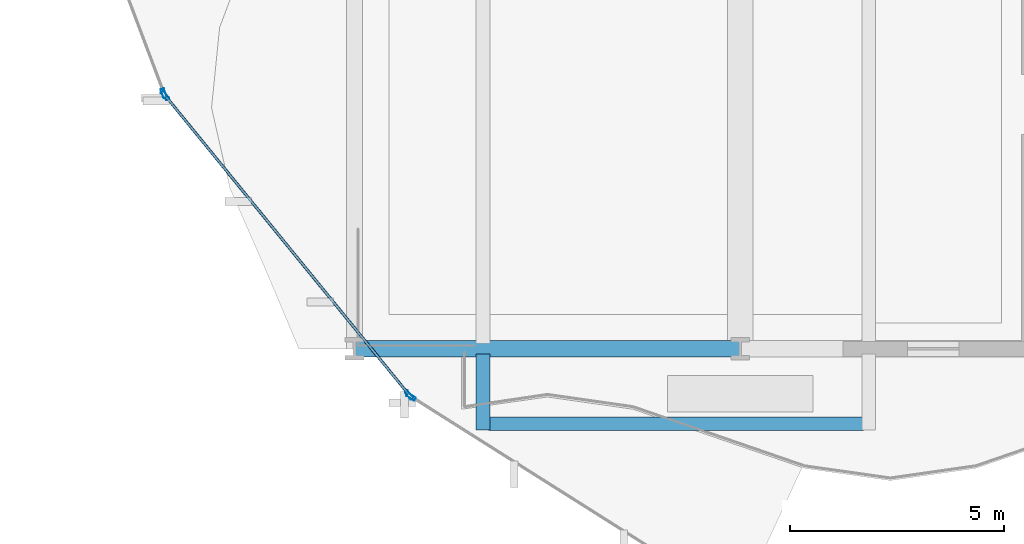
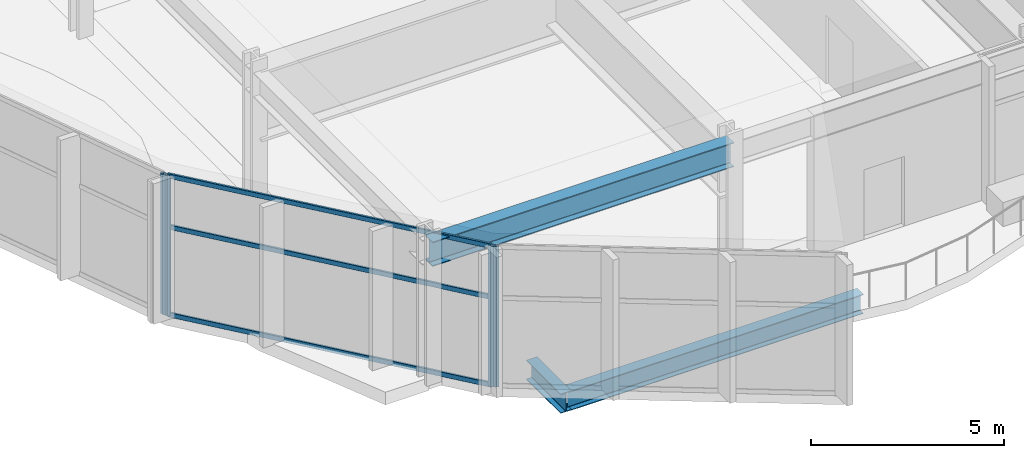
# One storey, part 2 of 31: 7 members, 3 beams, 3 elements without a shape of their own.
"""IFC4 building model written with IfcOpenShell, lengths in metres."""

import ifcopenshell
import ifcopenshell.guid

model = None  # the IFC model being written
_history = None  # IfcOwnerHistory: only IFC2X3 demands one
_inside = {}  # id of a spatial element -> (the spatial element, [elements in it])
_under = {}  # id of a project, library or spatial element -> (it, [spatial elements below it])
_declared = {}  # id of a project -> (the project, [libraries it declares])
_typed = {}  # id of a type object -> (the type object, [elements of that type])
_made_of = {}  # id of a material, layer set ... -> (it, [elements and type objects made of it])


def new_model(schema):
    """Start an empty IFC model of exactly this schema.

    Asked for "IFC4X3", IfcOpenShell would pick the latest addendum, in which some entities
    have other attributes; the version numbers below select the first issue.
    IFC2X3 requires an IfcOwnerHistory on every rooted entity: one is made here for all.
    """
    global model, _history
    if schema == "IFC4X3":
        model = ifcopenshell.file(schema_version=(4, 3, 0, 0))
    else:
        model = ifcopenshell.file(schema=schema)
    _inside.clear()
    _under.clear()
    _declared.clear()
    _typed.clear()
    _made_of.clear()
    _history = None
    if model.schema == "IFC2X3":
        org = make("IfcOrganization", Name="unknown")
        user = make(
            "IfcPersonAndOrganization",
            ThePerson=make("IfcPerson", FamilyName="unknown"),
            TheOrganization=org,
        )
        app = make(
            "IfcApplication",
            ApplicationDeveloper=org,
            Version="unknown",
            ApplicationFullName="unknown",
            ApplicationIdentifier="unknown",
        )
        _history = make(
            "IfcOwnerHistory",
            OwningUser=user,
            OwningApplication=app,
            ChangeAction="ADDED",
            CreationDate=0,
        )
    return model


def make(cls, **values):
    """One entity of the class cls with the attributes given. An attribute that is None is left unset."""
    return model.create_entity(
        cls, **{name: value for name, value in values.items() if value is not None}
    )


def rooted(cls, **values):
    """An entity with a GlobalId (a new one), such as an element, a storey or a relation."""
    return make(cls, GlobalId=ifcopenshell.guid.new(), OwnerHistory=_history, **values)


def si_unit(unit_type, name, prefix=None):
    """IfcSIUnit, for example si_unit("LENGTHUNIT", "METRE", prefix="MILLI")."""
    return make("IfcSIUnit", UnitType=unit_type, Prefix=prefix, Name=name)


def assignment(units):
    """IfcUnitAssignment: the units of a project."""
    return None if units is None else make("IfcUnitAssignment", Units=units)


def point(xyz):
    """IfcCartesianPoint."""
    return None if xyz is None else make("IfcCartesianPoint", Coordinates=xyz)


def direction(xyz):
    """IfcDirection."""
    return None if xyz is None else make("IfcDirection", DirectionRatios=xyz)


def frame(location, z_axis=None, x_axis=None):
    """IfcAxis2Placement3D, a coordinate frame: its origin and axes. An axis left out is left unset."""
    return make(
        "IfcAxis2Placement3D",
        Location=point(location),
        Axis=direction(z_axis),
        RefDirection=direction(x_axis),
    )


def frame_2d(location, x_axis=None):
    """IfcAxis2Placement2D, a coordinate frame in the plane: its origin and x axis."""
    return make(
        "IfcAxis2Placement2D", Location=point(location), RefDirection=direction(x_axis)
    )


def origin():
    """The frame at (0, 0, 0) with its axes left unset."""
    return frame((0.0, 0.0, 0.0))


def origin_2d():
    """The frame at (0, 0) in the plane with its x axis left unset."""
    return frame_2d((0.0, 0.0))


def place(relative_to, where):
    """IfcLocalPlacement: puts the frame where relative to a parent placement (None: the world)."""
    return make(
        "IfcLocalPlacement", PlacementRelTo=relative_to, RelativePlacement=where
    )


def context(
    kind, dimensions, precision=None, world=None, true_north=None, identifier=None
):
    """IfcGeometricRepresentationContext, for example the 3D "Model" context."""
    return make(
        "IfcGeometricRepresentationContext",
        ContextIdentifier=identifier,
        ContextType=kind,
        CoordinateSpaceDimension=dimensions,
        Precision=precision,
        WorldCoordinateSystem=world,
        TrueNorth=true_north,
    )


def subcontext(parent, identifier, kind, view, scale=None):
    """IfcGeometricRepresentationSubContext, for example "Body" below "Model"."""
    return make(
        "IfcGeometricRepresentationSubContext",
        ContextIdentifier=identifier,
        ContextType=kind,
        ParentContext=parent,
        TargetScale=scale,
        TargetView=view,
    )


def project(units=None, contexts=None):
    """IfcProject with its units and contexts."""
    return rooted(
        "IfcProject",
        Name="project",
        RepresentationContexts=contexts,
        UnitsInContext=assignment(units),
    )


def spatial(cls, under=None, at=None, **own):
    """A site, building, storey or space (cls), placed at a placement, below another one or the project."""
    s = rooted(cls, ObjectPlacement=at, **own)
    if under is not None:
        _under.setdefault(under.id(), (under, []))[1].append(s)
    return s


def profile(cls, at=None, kind="AREA", **sizes):
    """A parametric profile (cls). Its sizes go by their IFC names, for example OverallWidth=200.0."""
    return make(cls, ProfileType=kind, Position=at, **sizes)


def hollow_rectangle(**sizes):
    """IfcRectangleHollowProfileDef."""
    return profile("IfcRectangleHollowProfileDef", **sizes)


def i_section(**sizes):
    """IfcIShapeProfileDef."""
    return profile("IfcIShapeProfileDef", **sizes)


def extrude(swept, where, along, depth):
    """IfcExtrudedAreaSolid: the profile swept, set in the frame where, extruded along a direction by depth."""
    return make(
        "IfcExtrudedAreaSolid",
        SweptArea=swept,
        Position=where,
        ExtrudedDirection=direction(along),
        Depth=depth,
    )


def shape(context_of_items, identifier, shape_type, items):
    """IfcShapeRepresentation: the items that make up one representation, for example the "Body"."""
    return make(
        "IfcShapeRepresentation",
        ContextOfItems=context_of_items,
        RepresentationIdentifier=identifier,
        RepresentationType=shape_type,
        Items=items,
    )


def material(Name=None, Category=None):
    """IfcMaterial."""
    return make("IfcMaterial", Name=Name, Category=Category)


def layer(
    of_material, thickness, ventilated=None, Name=None, Category=None, Priority=None
):
    """IfcMaterialLayer: one layer of a wall or slab, of a material (None: an air gap)."""
    return make(
        "IfcMaterialLayer",
        Material=of_material,
        LayerThickness=thickness,
        IsVentilated=ventilated,
        Name=Name,
        Category=Category,
        Priority=Priority,
    )


def layer_set(layers, Name=None):
    """IfcMaterialLayerSet."""
    return make("IfcMaterialLayerSet", MaterialLayers=layers, LayerSetName=Name)


def material_profile(
    of_material, cross_section, Name=None, Category=None, Priority=None
):
    """IfcMaterialProfile: a cross section and its material."""
    return make(
        "IfcMaterialProfile",
        Name=Name,
        Material=of_material,
        Profile=cross_section,
        Priority=Priority,
        Category=Category,
    )


def profile_set(profiles, Name=None, composite=None):
    """IfcMaterialProfileSet."""
    return make(
        "IfcMaterialProfileSet",
        Name=Name,
        MaterialProfiles=profiles,
        CompositeProfile=composite,
    )


def made_of(thing, what):
    """Note that an element or type object is made of a material, layer set ...; save() writes the relation."""
    if what is not None:
        _made_of.setdefault(what.id(), (what, []))[1].append(thing)
    return thing


def type_object(cls, material=None, **own):
    """A type object (cls), such as IfcWallType, which elements share."""
    return made_of(rooted(cls, **own), material)


def element(
    cls,
    number,
    at=None,
    inside=None,
    cuts=None,
    type_object=None,
    material=None,
    context=None,
    identifier="Body",
    shape_type=None,
    held_by="IfcProductDefinitionShape",
    body=None,
    shapes=None,
    **own,
):
    """One element of the class cls, such as IfcWall. Its Tag is "e" and its number.

    at: its placement. inside: the storey or other place that contains it. cuts: it is an
    opening in that element (IfcRelVoidsElement). A single representation is given by context,
    identifier, shape_type and body (its items); several are given by shapes. held_by: the class
    of the entity that holds the representations. save() writes the other relations.
    """
    e = rooted(cls, Tag="e%d" % number, ObjectPlacement=at, **own)
    if body is not None:
        shapes = [shape(context, identifier, shape_type, body)]
    if shapes is not None:
        e.Representation = make(held_by, Representations=shapes)
    if inside is not None:
        _inside.setdefault(inside.id(), (inside, []))[1].append(e)
    if cuts is not None:
        rooted(
            "IfcRelVoidsElement", RelatingBuildingElement=cuts, RelatedOpeningElement=e
        )
    if type_object is not None:
        _typed.setdefault(type_object.id(), (type_object, []))[1].append(e)
    return made_of(e, material)


def aggregate(whole, parts):
    """IfcRelAggregates: a whole, such as a stair, and the parts it consists of."""
    return rooted("IfcRelAggregates", RelatingObject=whole, RelatedObjects=parts)


def save(model, path):
    """Write the relations noted so far, then the file.

    IfcRelAggregates (storeys below a building ...), IfcRelContainedInSpatialStructure (elements
    in a storey), IfcRelDefinesByType, IfcRelAssociatesMaterial and IfcRelDeclares: one each for
    every whole, place, type object, material and project.
    """
    for whole, parts in _under.values():
        aggregate(whole, parts)
    for where, things in _inside.values():
        rooted(
            "IfcRelContainedInSpatialStructure",
            RelatedElements=things,
            RelatingStructure=where,
        )
    for kind, things in _typed.values():
        rooted("IfcRelDefinesByType", RelatedObjects=things, RelatingType=kind)
    for what, things in _made_of.values():
        rooted("IfcRelAssociatesMaterial", RelatedObjects=things, RelatingMaterial=what)
    for by, libraries in _declared.values():
        rooted("IfcRelDeclares", RelatingContext=by, RelatedDefinitions=libraries)
    model.write(path)


model = new_model("IFC4")

# Units and contexts
model_context = context("Model", 3, precision=1e-05, world=origin(), true_north=direction((0.0, 1.0)))
body_context = subcontext(model_context, "Body", "Model", "MODEL_VIEW")
ifc_project = project(units=[si_unit("LENGTHUNIT", "METRE"), si_unit("AREAUNIT", "SQUARE_METRE"), si_unit("VOLUMEUNIT", "CUBIC_METRE"), si_unit("PLANEANGLEUNIT", "RADIAN"), si_unit("MASSUNIT", "GRAM", prefix="KILO")], contexts=[model_context])

# Site, building, storey
site_placement = place(None, origin())
site = spatial("IfcSite", under=ifc_project, at=site_placement, CompositionType="ELEMENT")
building_placement = place(site_placement, origin())
building = spatial("IfcBuilding", under=site, at=building_placement, Name="Solvaryn Broadcast Tower", CompositionType="ELEMENT")
storey_placement = place(building_placement, frame((0.0, 0.0, 26.0)))
storey = spatial("IfcBuildingStorey", under=building, at=storey_placement, Name="L05", CompositionType="ELEMENT", Elevation=26.0)

# Beams
ifc_material_1 = material(Name="Steel ASTM A992 Grade 50", Category="steel")
ifc_material_profile_1 = material_profile(ifc_material_1, i_section(OverallWidth=0.323974609375, OverallDepth=0.611083984375, WebThickness=0.0126953125, FlangeThickness=0.01904296875, FilletRadius=0.014892578125, at=origin_2d()))
ifc_profile_set_1 = profile_set([ifc_material_profile_1], Name="Steel ASTM A992 Grade 50")
beam_type_1 = type_object("IfcBeamType", Name="BM-B1-W24X104", PredefinedType="BEAM", material=ifc_profile_set_1)
beam_1_placement = place(storey_placement, frame((12.125, 7.25, -0.62548828125), z_axis=(1.0, 0.0, 0.0), x_axis=(0.0, 1.0, 0.0)))
element("IfcBeam", 1, at=beam_1_placement, inside=storey, type_object=beam_type_1, Name="L05 Terrace Cross Tie Beam", PredefinedType="BEAM", context=body_context, shape_type="SweptSolid", body=[
    extrude(i_section(OverallWidth=0.323974609375, OverallDepth=0.611083984375, WebThickness=0.0126953125, FlangeThickness=0.01904296875, FilletRadius=0.014892578125, at=origin_2d()), origin(), (0.0, 0.0, 1.0), 8.75),
])
ifc_material_2 = material(Name="Steel ASTM A992 Grade 50", Category="steel")
ifc_material_profile_2 = material_profile(ifc_material_2, i_section(OverallWidth=0.323974609375, OverallDepth=0.611083984375, WebThickness=0.0126953125, FlangeThickness=0.01904296875, FilletRadius=0.014892578125, at=origin_2d()))
ifc_profile_set_2 = profile_set([ifc_material_profile_2], Name="Steel ASTM A992 Grade 50")
beam_type_2 = type_object("IfcBeamType", Name="BM-CANT-TER", PredefinedType="BEAM", material=ifc_profile_set_2)
beam_2_placement = place(storey_placement, frame((12.0, 8.875, -0.62548828125), z_axis=(0.0, -1.0, 0.0), x_axis=(1.0, 0.0, 0.0)))
element("IfcBeam", 2, at=beam_2_placement, inside=storey, type_object=beam_type_2, Name="L05 Terrace Cantilever Beam X12.0", PredefinedType="BEAM", context=body_context, shape_type="SweptSolid", body=[
    extrude(i_section(OverallWidth=0.323974609375, OverallDepth=0.611083984375, WebThickness=0.0126953125, FlangeThickness=0.01904296875, FilletRadius=0.014892578125, at=origin_2d()), origin(), (0.0, 0.0, 1.0), 1.77490234375),
])
ifc_material_3 = material(Name="Steel ASTM A992 Grade 50", Category="steel")
ifc_material_profile_3 = material_profile(ifc_material_3, i_section(OverallWidth=0.381103515625, OverallDepth=0.77294921875, WebThickness=0.0166015625, FlangeThickness=0.027099609375, FilletRadius=0.01806640625, at=origin_2d()))
ifc_profile_set_3 = profile_set([ifc_material_profile_3], Name="Steel ASTM A992 Grade 50")
beam_type_3 = type_object("IfcBeamType", Name="BM-SP1-W30X173", PredefinedType="USERDEFINED", material=ifc_profile_set_3)
beam_3_placement = place(storey_placement, frame((9.0, 9.0, 4.053466796875), z_axis=(1.0, 0.0, 0.0), x_axis=(0.0, 1.0, 0.0)))
element("IfcBeam", 3, at=beam_3_placement, inside=storey, type_object=beam_type_3, Name="L05 Spandrel Beam X (9-18 @ Y=9)", ObjectType="SPANDREL", PredefinedType="USERDEFINED", context=body_context, shape_type="SweptSolid", body=[
    extrude(i_section(OverallWidth=0.381103515625, OverallDepth=0.77294921875, WebThickness=0.0166015625, FlangeThickness=0.027099609375, FilletRadius=0.01806640625, at=origin_2d()), origin(), (0.0, 0.0, 1.0), 9.0),
])

# Curtain wall, member
ifc_material_4 = material(Name="Aluminium and Terracotta Unitised Curtain Wall", Category="masonry")
ifc_layer = layer(ifc_material_4, 0.219970703125)
ifc_layer_set = layer_set([ifc_layer], Name="CW-SYS1-PODIUM")
curtain_wall_type = type_object("IfcCurtainWallType", Name="CW-SYS1-PODIUM", PredefinedType="NOTDEFINED", material=ifc_layer_set)
curtain_wall_1_placement = place(storey_placement, origin())
curtain_wall_1 = element("IfcCurtainWall", 4, at=curtain_wall_1_placement, inside=storey, type_object=curtain_wall_type, Name="L05 Podium Curtain Wall DC2", PredefinedType="NOTDEFINED")
ifc_material_5 = material(Name="Anodised Aluminium 6063-T6", Category="aluminium")
ifc_material_profile_4 = material_profile(ifc_material_5, hollow_rectangle(XDim=0.0849609375, YDim=0.219970703125, WallThickness=0.0048828125, InnerFilletRadius=0.0048828125, OuterFilletRadius=0.010009765625, at=origin_2d()))
ifc_profile_set_4 = profile_set([ifc_material_profile_4], Name="Anodised Aluminium 6063-T6")
member_type_1 = type_object("IfcMemberType", Name="CW-MUL-220", PredefinedType="MULLION", material=ifc_profile_set_4)
member_1_placement = place(storey_placement, frame((4.54931640625, 14.9599609375, 0.0), z_axis=(0.0, 0.0, 1.0), x_axis=(0.93564839494, 0.352933536301, 0.0)))
member_1 = element("IfcMember", 5, at=member_1_placement, type_object=member_type_1, Name="CWS1 mullion 2", PredefinedType="MULLION", context=body_context, shape_type="SweptSolid", body=[
    extrude(hollow_rectangle(XDim=0.0849609375, YDim=0.219970703125, WallThickness=0.0048828125, InnerFilletRadius=0.0048828125, OuterFilletRadius=0.010009765625, at=origin_2d()), origin(), (0.0, 0.0, 1.0), 4.43994140625),
])
aggregate(curtain_wall_1, [member_1])

# Curtain wall, members
curtain_wall_2_placement = place(storey_placement, origin())
curtain_wall_2 = element("IfcCurtainWall", 6, at=curtain_wall_2_placement, inside=storey, type_object=curtain_wall_type, Name="L05 Podium Curtain Wall DC3", PredefinedType="NOTDEFINED")
member_2_placement = place(storey_placement, frame((4.578857421875, 14.90869140625, 0.0), z_axis=(0.0, 0.0, 1.0), x_axis=(0.77507512645, 0.631869091156, 0.0)))
member_2 = element("IfcMember", 7, at=member_2_placement, type_object=member_type_1, Name="CWS1 mullion 1", PredefinedType="MULLION", context=body_context, shape_type="SweptSolid", body=[
    extrude(hollow_rectangle(XDim=0.0849609375, YDim=0.219970703125, WallThickness=0.0048828125, InnerFilletRadius=0.0048828125, OuterFilletRadius=0.010009765625, at=origin_2d()), origin(), (0.0, 0.0, 1.0), 4.43994140625),
])
member_3_placement = place(storey_placement, frame((10.277099609375, 7.919189453125, 0.0), z_axis=(0.0, 0.0, 1.0), x_axis=(0.77507512645, 0.631869091156, 0.0)))
member_3 = element("IfcMember", 8, at=member_3_placement, type_object=member_type_1, Name="CWS1 mullion 2", PredefinedType="MULLION", context=body_context, shape_type="SweptSolid", body=[
    extrude(hollow_rectangle(XDim=0.0849609375, YDim=0.219970703125, WallThickness=0.0048828125, InnerFilletRadius=0.0048828125, OuterFilletRadius=0.010009765625, at=origin_2d()), origin(), (0.0, 0.0, 1.0), 4.43994140625),
])

# Curtain wall, member
curtain_wall_3_placement = place(storey_placement, origin())
curtain_wall_3 = element("IfcCurtainWall", 9, at=curtain_wall_3_placement, inside=storey, type_object=curtain_wall_type, Name="L05 Podium Curtain Wall DC4", PredefinedType="NOTDEFINED")
member_4_placement = place(storey_placement, frame((10.3212890625, 7.8798828125, 0.0), z_axis=(0.0, 0.0, 1.0), x_axis=(0.534171200558, 0.845376323595, 0.0)))
member_4 = element("IfcMember", 10, at=member_4_placement, type_object=member_type_1, Name="CWS1 mullion 1", PredefinedType="MULLION", context=body_context, shape_type="SweptSolid", body=[
    extrude(hollow_rectangle(XDim=0.0849609375, YDim=0.219970703125, WallThickness=0.0048828125, InnerFilletRadius=0.0048828125, OuterFilletRadius=0.010009765625, at=origin_2d()), origin(), (0.0, 0.0, 1.0), 4.43994140625),
])
aggregate(curtain_wall_3, [member_4])

# Member
ifc_material_6 = material(Name="Anodised Aluminium 6063-T6", Category="aluminium")
ifc_material_profile_5 = material_profile(ifc_material_6, hollow_rectangle(XDim=0.06494140625, YDim=0.14990234375, WallThickness=0.00390625, InnerFilletRadius=0.00390625, OuterFilletRadius=0.008056640625, at=origin_2d()))
ifc_profile_set_5 = profile_set([ifc_material_profile_5], Name="Anodised Aluminium 6063-T6")
member_type_2 = type_object("IfcMemberType", Name="CW-TRN-150", PredefinedType="USERDEFINED", material=ifc_profile_set_5)
member_5_placement = place(storey_placement, frame((4.597900390625, 14.885498046875, 0.030029296875), z_axis=(0.631860993184, -0.775081728138, 0.0), x_axis=(0.775081728138, 0.631860993184, 0.0)))
member_5 = element("IfcMember", 11, at=member_5_placement, type_object=member_type_2, Name="CWS1 transom 1.1", ObjectType="TRANSOM", PredefinedType="USERDEFINED", context=body_context, shape_type="SweptSolid", body=[
    extrude(hollow_rectangle(XDim=0.06494140625, YDim=0.14990234375, WallThickness=0.00390625, InnerFilletRadius=0.00390625, OuterFilletRadius=0.008056640625, at=origin_2d()), origin(), (0.0, 0.0, 1.0), 8.9580078125),
])

member_6_placement = place(storey_placement, frame((4.597900390625, 14.885498046875, 2.800048828125), z_axis=(0.631860993184, -0.775081728138, 0.0), x_axis=(0.775081728138, 0.631860993184, 0.0)))
member_6 = element("IfcMember", 12, at=member_6_placement, type_object=member_type_2, Name="CWS1 transom 1.2", ObjectType="TRANSOM", PredefinedType="USERDEFINED", context=body_context, shape_type="SweptSolid", body=[
    extrude(hollow_rectangle(XDim=0.06494140625, YDim=0.14990234375, WallThickness=0.00390625, InnerFilletRadius=0.00390625, OuterFilletRadius=0.008056640625, at=origin_2d()), origin(), (0.0, 0.0, 1.0), 8.9580078125),
])

member_7_placement = place(storey_placement, frame((4.597900390625, 14.885498046875, 4.409912109375), z_axis=(0.631860993184, -0.775081728138, 0.0), x_axis=(0.775081728138, 0.631860993184, 0.0)))
member_7 = element("IfcMember", 13, at=member_7_placement, type_object=member_type_2, Name="CWS1 transom 1.3", ObjectType="TRANSOM", PredefinedType="USERDEFINED", context=body_context, shape_type="SweptSolid", body=[
    extrude(hollow_rectangle(XDim=0.06494140625, YDim=0.14990234375, WallThickness=0.00390625, InnerFilletRadius=0.00390625, OuterFilletRadius=0.008056640625, at=origin_2d()), origin(), (0.0, 0.0, 1.0), 8.9580078125),
])

aggregate(curtain_wall_2, [member_2, member_3, member_5, member_6, member_7])

save(model, "model.ifc")
